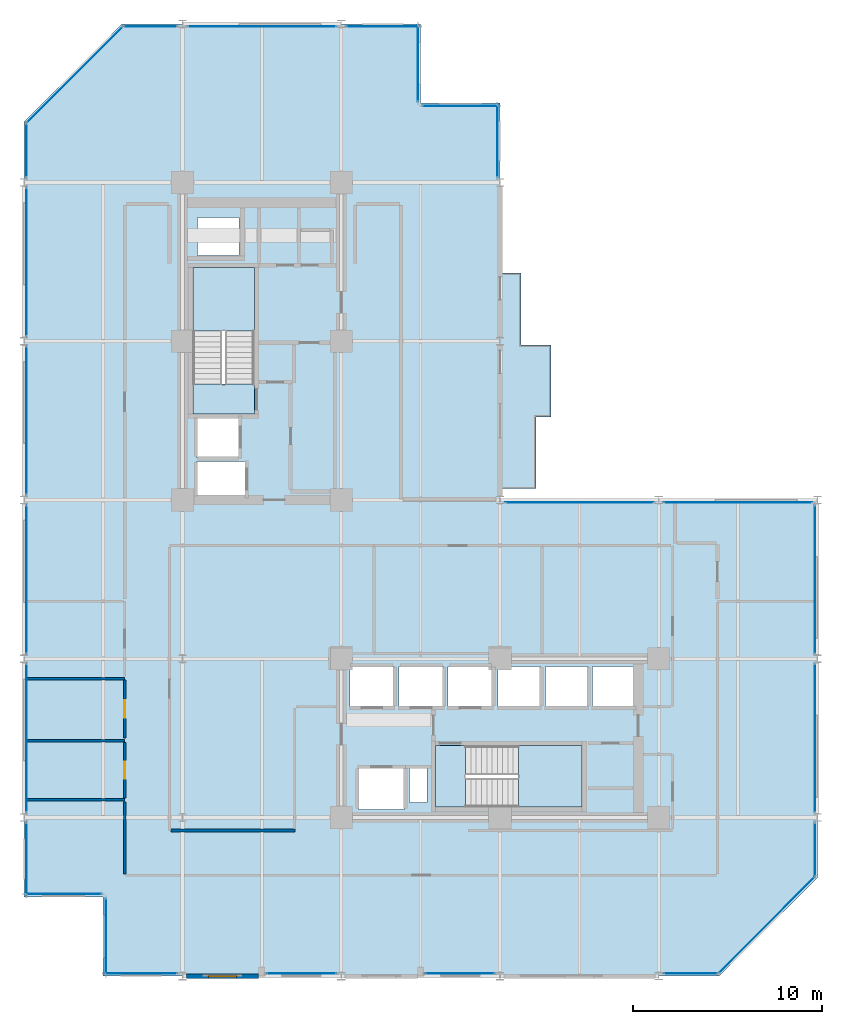
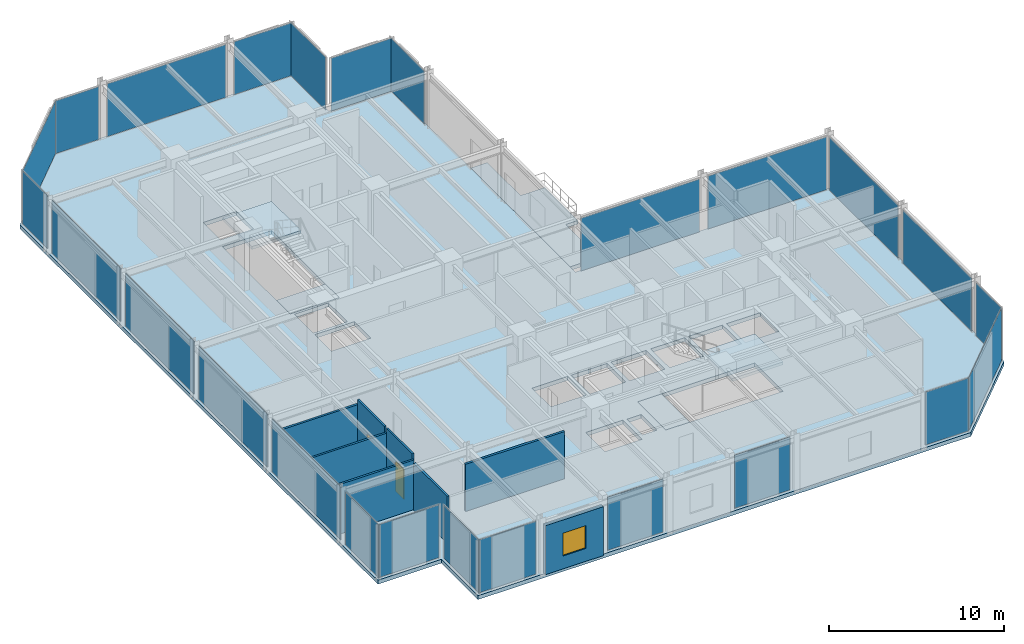
# One storey, part 23 of 29: 25 plates, 8 walls, 6 slabs, 2 doors, 1 window, 3 openings, 27 elements without a shape of their own.
"""IFC4 building model written with IfcOpenShell, lengths in metres."""

from ifc_helpers import new_model, si_unit, direction, frame, frame_2d, origin, origin_2d, place, context, subcontext, project, spatial, polyline, rectangle, outline, extrude, material, layer, layer_set, type_object, element, fill, aggregate, save


model = new_model("IFC4")

# Units and contexts
model_context = context("Model", 3, precision=1e-05, world=origin(), true_north=direction((0.0, 1.0)))
body_context = subcontext(model_context, "Body", "Model", "MODEL_VIEW")
ifc_project = project(units=[si_unit("LENGTHUNIT", "METRE"), si_unit("AREAUNIT", "SQUARE_METRE"), si_unit("VOLUMEUNIT", "CUBIC_METRE"), si_unit("PLANEANGLEUNIT", "RADIAN"), si_unit("MASSUNIT", "GRAM", prefix="KILO")], contexts=[model_context])

# Site, building, storey
site_placement = place(None, origin())
site = spatial("IfcSite", under=ifc_project, at=site_placement, CompositionType="ELEMENT")
building_placement = place(site_placement, origin())
building = spatial("IfcBuilding", under=site, at=building_placement, Name="Nerrivon Quay Data Exchange", CompositionType="ELEMENT")
storey_placement = place(building_placement, frame((0.0, 0.0, 150.0)))
storey = spatial("IfcBuildingStorey", under=building, at=storey_placement, Name="L35", CompositionType="ELEMENT", Elevation=150.0)

# Curtain wall, plate
ifc_material_1 = material(Name="Anodised aluminium 6063-T6", Category="aluminium")
ifc_layer_1 = layer(ifc_material_1, 0.2099609375)
ifc_layer_set_1 = layer_set([ifc_layer_1], Name="Anodised aluminium 6063-T6")
curtain_wall_type = type_object("IfcCurtainWallType", Name="CW-SYS-02", PredefinedType="NOTDEFINED", material=ifc_layer_set_1)
curtain_wall_1_placement = place(storey_placement, origin())
curtain_wall_1 = element("IfcCurtainWall", 1, at=curtain_wall_1_placement, inside=storey, type_object=curtain_wall_type, Name="L35 Unitised Curtain Wall 1", PredefinedType="NOTDEFINED")
ifc_material_2 = material(Name="Double-glazed low-E solar control glass", Category="glass")
ifc_layer_2 = layer(ifc_material_2, 0.028076171875)
ifc_layer_set_2 = layer_set([ifc_layer_2], Name="Double-glazed low-E solar control glass")
plate_type = type_object("IfcPlateType", Name="CWP-GLZ-28", PredefinedType="CURTAIN_PANEL", material=ifc_layer_set_2)
plate_1_placement = place(storey_placement, frame((39.301025390625, 2.698974609375, 0.06494140625), z_axis=(0.0, 0.0, 1.0), x_axis=(-0.707106781187, -0.707106781187, 0.0)))
plate_1 = element("IfcPlate", 2, at=plate_1_placement, type_object=plate_type, Name="CW02 panel 1.1", PredefinedType="CURTAIN_PANEL", context=body_context, shape_type="SweptSolid", body=[
    extrude(rectangle(XDim=7.203857421875, YDim=0.028076171875, at=origin_2d()), origin(), (0.0, 0.0, 1.0), 3.695068359375),
])
aggregate(curtain_wall_1, [plate_1])

curtain_wall_2_placement = place(storey_placement, origin())
curtain_wall_2 = element("IfcCurtainWall", 3, at=curtain_wall_2_placement, inside=storey, type_object=curtain_wall_type, Name="L35 Unitised Curtain Wall 2", PredefinedType="NOTDEFINED")
plate_2_placement = place(storey_placement, frame((35.300048828125, 0.139892578125, 0.06494140625), z_axis=(0.0, 0.0, 1.0), x_axis=(-1.0, 0.0, 0.0)))
plate_2 = element("IfcPlate", 4, at=plate_2_placement, type_object=plate_type, Name="CW02 panel 1.1", PredefinedType="CURTAIN_PANEL", context=body_context, shape_type="SweptSolid", body=[
    extrude(rectangle(XDim=2.85009765625, YDim=0.028076171875, at=origin_2d()), origin(), (0.0, 0.0, 1.0), 3.695068359375),
])
aggregate(curtain_wall_2, [plate_2])

curtain_wall_3_placement = place(storey_placement, origin())
curtain_wall_3 = element("IfcCurtainWall", 5, at=curtain_wall_3_placement, inside=storey, type_object=curtain_wall_type, Name="L35 Unitised Curtain Wall 4", PredefinedType="NOTDEFINED")
plate_3_placement = place(storey_placement, frame((23.08740234375, 0.139892578125, 0.06494140625), z_axis=(0.0, 0.0, 1.0), x_axis=(-1.0, 0.0, 0.0)))
plate_3 = element("IfcPlate", 6, at=plate_3_placement, type_object=plate_type, Name="CW02 panel 1.1", PredefinedType="CURTAIN_PANEL", context=body_context, shape_type="SweptSolid", body=[
    extrude(rectangle(XDim=3.675048828125, YDim=0.028076171875, at=origin_2d()), origin(), (0.0, 0.0, 1.0), 3.695068359375),
])
aggregate(curtain_wall_3, [plate_3])

curtain_wall_4_placement = place(storey_placement, origin())
curtain_wall_4 = element("IfcCurtainWall", 7, at=curtain_wall_4_placement, inside=storey, type_object=curtain_wall_type, Name="L35 Unitised Curtain Wall 6", PredefinedType="NOTDEFINED")
plate_4_placement = place(storey_placement, frame((14.6875, 0.139892578125, 0.06494140625), z_axis=(0.0, 0.0, 1.0), x_axis=(-1.0, 0.0, 0.0)))
plate_4 = element("IfcPlate", 8, at=plate_4_placement, type_object=plate_type, Name="CW02 panel 1.1", PredefinedType="CURTAIN_PANEL", context=body_context, shape_type="SweptSolid", body=[
    extrude(rectangle(XDim=3.675048828125, YDim=0.028076171875, at=origin_2d()), origin(), (0.0, 0.0, 1.0), 3.695068359375),
])
aggregate(curtain_wall_4, [plate_4])

curtain_wall_5_placement = place(storey_placement, origin())
curtain_wall_5 = element("IfcCurtainWall", 9, at=curtain_wall_5_placement, inside=storey, type_object=curtain_wall_type, Name="L35 Unitised Curtain Wall 8", PredefinedType="NOTDEFINED")
plate_5_placement = place(storey_placement, frame((6.199951171875, 0.139892578125, 0.06494140625), z_axis=(0.0, 0.0, 1.0), x_axis=(-1.0, 0.0, 0.0)))
plate_5 = element("IfcPlate", 10, at=plate_5_placement, type_object=plate_type, Name="CW02 panel 1.1", PredefinedType="CURTAIN_PANEL", context=body_context, shape_type="SweptSolid", body=[
    extrude(rectangle(XDim=3.85009765625, YDim=0.028076171875, at=origin_2d()), origin(), (0.0, 0.0, 1.0), 3.695068359375),
])
aggregate(curtain_wall_5, [plate_5])

curtain_wall_6_placement = place(storey_placement, origin())
curtain_wall_6 = element("IfcCurtainWall", 11, at=curtain_wall_6_placement, inside=storey, type_object=curtain_wall_type, Name="L35 Unitised Curtain Wall 9", PredefinedType="NOTDEFINED")
plate_6_placement = place(storey_placement, frame((4.340087890625, 2.10009765625, 0.06494140625), z_axis=(0.0, 0.0, 1.0), x_axis=(0.0, 1.0, 0.0)))
plate_6 = element("IfcPlate", 12, at=plate_6_placement, type_object=plate_type, Name="CW02 panel 1.1", PredefinedType="CURTAIN_PANEL", context=body_context, shape_type="SweptSolid", body=[
    extrude(rectangle(XDim=4.050048828125, YDim=0.028076171875, at=origin_2d()), origin(), (0.0, 0.0, 1.0), 3.695068359375),
])
aggregate(curtain_wall_6, [plate_6])

curtain_wall_7_placement = place(storey_placement, origin())
curtain_wall_7 = element("IfcCurtainWall", 13, at=curtain_wall_7_placement, inside=storey, type_object=curtain_wall_type, Name="L35 Unitised Curtain Wall 10", PredefinedType="NOTDEFINED")
plate_7_placement = place(storey_placement, frame((2.10009765625, 4.340087890625, 0.06494140625), z_axis=(0.0, 0.0, 1.0), x_axis=(-1.0, 0.0, 0.0)))
plate_7 = element("IfcPlate", 14, at=plate_7_placement, type_object=plate_type, Name="CW02 panel 1.1", PredefinedType="CURTAIN_PANEL", context=body_context, shape_type="SweptSolid", body=[
    extrude(rectangle(XDim=4.050048828125, YDim=0.028076171875, at=origin_2d()), origin(), (0.0, 0.0, 1.0), 3.695068359375),
])
aggregate(curtain_wall_7, [plate_7])

curtain_wall_8_placement = place(storey_placement, origin())
curtain_wall_8 = element("IfcCurtainWall", 15, at=curtain_wall_8_placement, inside=storey, type_object=curtain_wall_type, Name="L35 Unitised Curtain Wall 11", PredefinedType="NOTDEFINED")
plate_8_placement = place(storey_placement, frame((0.139892578125, 6.199951171875, 0.06494140625), z_axis=(0.0, 0.0, 1.0), x_axis=(0.0, 1.0, 0.0)))
plate_8 = element("IfcPlate", 16, at=plate_8_placement, type_object=plate_type, Name="CW02 panel 1.1", PredefinedType="CURTAIN_PANEL", context=body_context, shape_type="SweptSolid", body=[
    extrude(rectangle(XDim=3.85009765625, YDim=0.028076171875, at=origin_2d()), origin(), (0.0, 0.0, 1.0), 3.695068359375),
])
aggregate(curtain_wall_8, [plate_8])

curtain_wall_9_placement = place(storey_placement, origin())
curtain_wall_9 = element("IfcCurtainWall", 17, at=curtain_wall_9_placement, inside=storey, type_object=curtain_wall_type, Name="L35 Unitised Curtain Wall 12", PredefinedType="NOTDEFINED")
plate_9_placement = place(storey_placement, frame((0.139892578125, 12.60009765625, 0.06494140625), z_axis=(0.0, 0.0, 1.0), x_axis=(0.0, 1.0, 0.0)))
plate_9 = element("IfcPlate", 18, at=plate_9_placement, type_object=plate_type, Name="CW02 panel 1.1", PredefinedType="CURTAIN_PANEL", context=body_context, shape_type="SweptSolid", body=[
    extrude(rectangle(XDim=7.85009765625, YDim=0.028076171875, at=origin_2d()), origin(), (0.0, 0.0, 1.0), 3.695068359375),
])
aggregate(curtain_wall_9, [plate_9])

curtain_wall_10_placement = place(storey_placement, origin())
curtain_wall_10 = element("IfcCurtainWall", 19, at=curtain_wall_10_placement, inside=storey, type_object=curtain_wall_type, Name="L35 Unitised Curtain Wall 13", PredefinedType="NOTDEFINED")
plate_10_placement = place(storey_placement, frame((0.139892578125, 21.0, 0.06494140625), z_axis=(0.0, 0.0, 1.0), x_axis=(0.0, 1.0, 0.0)))
plate_10 = element("IfcPlate", 20, at=plate_10_placement, type_object=plate_type, Name="CW02 panel 1.1", PredefinedType="CURTAIN_PANEL", context=body_context, shape_type="SweptSolid", body=[
    extrude(rectangle(XDim=7.85009765625, YDim=0.028076171875, at=origin_2d()), origin(), (0.0, 0.0, 1.0), 3.695068359375),
])
aggregate(curtain_wall_10, [plate_10])

curtain_wall_11_placement = place(storey_placement, origin())
curtain_wall_11 = element("IfcCurtainWall", 21, at=curtain_wall_11_placement, inside=storey, type_object=curtain_wall_type, Name="L35 Unitised Curtain Wall 14", PredefinedType="NOTDEFINED")
plate_11_placement = place(storey_placement, frame((0.139892578125, 29.39990234375, 0.06494140625), z_axis=(0.0, 0.0, 1.0), x_axis=(0.0, 1.0, 0.0)))
plate_11 = element("IfcPlate", 22, at=plate_11_placement, type_object=plate_type, Name="CW02 panel 1.1", PredefinedType="CURTAIN_PANEL", context=body_context, shape_type="SweptSolid", body=[
    extrude(rectangle(XDim=7.85009765625, YDim=0.028076171875, at=origin_2d()), origin(), (0.0, 0.0, 1.0), 3.695068359375),
])
aggregate(curtain_wall_11, [plate_11])

curtain_wall_12_placement = place(storey_placement, origin())
curtain_wall_12 = element("IfcCurtainWall", 23, at=curtain_wall_12_placement, inside=storey, type_object=curtain_wall_type, Name="L35 Unitised Curtain Wall 15", PredefinedType="NOTDEFINED")
plate_12_placement = place(storey_placement, frame((0.139892578125, 37.800048828125, 0.06494140625), z_axis=(0.0, 0.0, 1.0), x_axis=(0.0, 1.0, 0.0)))
plate_12 = element("IfcPlate", 24, at=plate_12_placement, type_object=plate_type, Name="CW02 panel 1.1", PredefinedType="CURTAIN_PANEL", context=body_context, shape_type="SweptSolid", body=[
    extrude(rectangle(XDim=7.85009765625, YDim=0.028076171875, at=origin_2d()), origin(), (0.0, 0.0, 1.0), 3.695068359375),
])
aggregate(curtain_wall_12, [plate_12])

curtain_wall_13_placement = place(storey_placement, origin())
curtain_wall_13 = element("IfcCurtainWall", 25, at=curtain_wall_13_placement, inside=storey, type_object=curtain_wall_type, Name="L35 Unitised Curtain Wall 16", PredefinedType="NOTDEFINED")
plate_13_placement = place(storey_placement, frame((0.139892578125, 43.699951171875, 0.06494140625), z_axis=(0.0, 0.0, 1.0), x_axis=(0.0, 1.0, 0.0)))
plate_13 = element("IfcPlate", 26, at=plate_13_placement, type_object=plate_type, Name="CW02 panel 1.1", PredefinedType="CURTAIN_PANEL", context=body_context, shape_type="SweptSolid", body=[
    extrude(rectangle(XDim=2.85009765625, YDim=0.028076171875, at=origin_2d()), origin(), (0.0, 0.0, 1.0), 3.695068359375),
])
aggregate(curtain_wall_13, [plate_13])

curtain_wall_14_placement = place(storey_placement, origin())
curtain_wall_14 = element("IfcCurtainWall", 27, at=curtain_wall_14_placement, inside=storey, type_object=curtain_wall_type, Name="L35 Unitised Curtain Wall 17", PredefinedType="NOTDEFINED")
plate_14_placement = place(storey_placement, frame((2.698974609375, 47.700927734375, 0.06494140625), z_axis=(0.0, 0.0, 1.0), x_axis=(0.707106781187, 0.707106781187, 0.0)))
plate_14 = element("IfcPlate", 28, at=plate_14_placement, type_object=plate_type, Name="CW02 panel 1.1", PredefinedType="CURTAIN_PANEL", context=body_context, shape_type="SweptSolid", body=[
    extrude(rectangle(XDim=7.203857421875, YDim=0.028076171875, at=origin_2d()), origin(), (0.0, 0.0, 1.0), 3.695068359375),
])
aggregate(curtain_wall_14, [plate_14])

curtain_wall_15_placement = place(storey_placement, origin())
curtain_wall_15 = element("IfcCurtainWall", 29, at=curtain_wall_15_placement, inside=storey, type_object=curtain_wall_type, Name="L35 Unitised Curtain Wall 18", PredefinedType="NOTDEFINED")
plate_15_placement = place(storey_placement, frame((6.699951171875, 50.260009765625, 0.06494140625), z_axis=(0.0, 0.0, 1.0), x_axis=(1.0, 0.0, 0.0)))
plate_15 = element("IfcPlate", 30, at=plate_15_placement, type_object=plate_type, Name="CW02 panel 1.1", PredefinedType="CURTAIN_PANEL", context=body_context, shape_type="SweptSolid", body=[
    extrude(rectangle(XDim=2.85009765625, YDim=0.028076171875, at=origin_2d()), origin(), (0.0, 0.0, 1.0), 3.695068359375),
])
aggregate(curtain_wall_15, [plate_15])

curtain_wall_16_placement = place(storey_placement, origin())
curtain_wall_16 = element("IfcCurtainWall", 31, at=curtain_wall_16_placement, inside=storey, type_object=curtain_wall_type, Name="L35 Unitised Curtain Wall 19", PredefinedType="NOTDEFINED")
plate_16_placement = place(storey_placement, frame((12.60009765625, 50.260009765625, 0.06494140625), z_axis=(0.0, 0.0, 1.0), x_axis=(1.0, 0.0, 0.0)))
plate_16 = element("IfcPlate", 32, at=plate_16_placement, type_object=plate_type, Name="CW02 panel 1.1", PredefinedType="CURTAIN_PANEL", context=body_context, shape_type="SweptSolid", body=[
    extrude(rectangle(XDim=7.85009765625, YDim=0.028076171875, at=origin_2d()), origin(), (0.0, 0.0, 1.0), 3.695068359375),
])
aggregate(curtain_wall_16, [plate_16])

curtain_wall_17_placement = place(storey_placement, origin())
curtain_wall_17 = element("IfcCurtainWall", 33, at=curtain_wall_17_placement, inside=storey, type_object=curtain_wall_type, Name="L35 Unitised Curtain Wall 20", PredefinedType="NOTDEFINED")
plate_17_placement = place(storey_placement, frame((19.0, 50.260009765625, 0.06494140625), z_axis=(0.0, 0.0, 1.0), x_axis=(1.0, 0.0, 0.0)))
plate_17 = element("IfcPlate", 34, at=plate_17_placement, type_object=plate_type, Name="CW02 panel 1.1", PredefinedType="CURTAIN_PANEL", context=body_context, shape_type="SweptSolid", body=[
    extrude(rectangle(XDim=3.85009765625, YDim=0.028076171875, at=origin_2d()), origin(), (0.0, 0.0, 1.0), 3.695068359375),
])
aggregate(curtain_wall_17, [plate_17])

curtain_wall_18_placement = place(storey_placement, origin())
curtain_wall_18 = element("IfcCurtainWall", 35, at=curtain_wall_18_placement, inside=storey, type_object=curtain_wall_type, Name="L35 Unitised Curtain Wall 21", PredefinedType="NOTDEFINED")
plate_18_placement = place(storey_placement, frame((20.860107421875, 48.300048828125, 0.06494140625), z_axis=(0.0, 0.0, 1.0), x_axis=(0.0, -1.0, 0.0)))
plate_18 = element("IfcPlate", 36, at=plate_18_placement, type_object=plate_type, Name="CW02 panel 1.1", PredefinedType="CURTAIN_PANEL", context=body_context, shape_type="SweptSolid", body=[
    extrude(rectangle(XDim=4.050048828125, YDim=0.028076171875, at=origin_2d()), origin(), (0.0, 0.0, 1.0), 3.695068359375),
])
aggregate(curtain_wall_18, [plate_18])

curtain_wall_19_placement = place(storey_placement, origin())
curtain_wall_19 = element("IfcCurtainWall", 37, at=curtain_wall_19_placement, inside=storey, type_object=curtain_wall_type, Name="L35 Unitised Curtain Wall 22", PredefinedType="NOTDEFINED")
plate_19_placement = place(storey_placement, frame((23.10009765625, 46.06005859375, 0.06494140625), z_axis=(0.0, 0.0, 1.0), x_axis=(1.0, 0.0, 0.0)))
plate_19 = element("IfcPlate", 38, at=plate_19_placement, type_object=plate_type, Name="CW02 panel 1.1", PredefinedType="CURTAIN_PANEL", context=body_context, shape_type="SweptSolid", body=[
    extrude(rectangle(XDim=4.050048828125, YDim=0.028076171875, at=origin_2d()), origin(), (0.0, 0.0, 1.0), 3.695068359375),
])
aggregate(curtain_wall_19, [plate_19])

curtain_wall_20_placement = place(storey_placement, origin())
curtain_wall_20 = element("IfcCurtainWall", 39, at=curtain_wall_20_placement, inside=storey, type_object=curtain_wall_type, Name="L35 Unitised Curtain Wall 23", PredefinedType="NOTDEFINED")
plate_20_placement = place(storey_placement, frame((25.06005859375, 44.199951171875, 0.06494140625), z_axis=(0.0, 0.0, 1.0), x_axis=(0.0, -1.0, 0.0)))
plate_20 = element("IfcPlate", 40, at=plate_20_placement, type_object=plate_type, Name="CW02 panel 1.1", PredefinedType="CURTAIN_PANEL", context=body_context, shape_type="SweptSolid", body=[
    extrude(rectangle(XDim=3.85009765625, YDim=0.028076171875, at=origin_2d()), origin(), (0.0, 0.0, 1.0), 3.695068359375),
])
aggregate(curtain_wall_20, [plate_20])

curtain_wall_21_placement = place(storey_placement, origin())
curtain_wall_21 = element("IfcCurtainWall", 41, at=curtain_wall_21_placement, inside=storey, type_object=curtain_wall_type, Name="L35 Unitised Curtain Wall 26", PredefinedType="NOTDEFINED")
plate_21_placement = place(storey_placement, frame((29.39990234375, 25.06005859375, 0.06494140625), z_axis=(0.0, 0.0, 1.0), x_axis=(1.0, 0.0, 0.0)))
plate_21 = element("IfcPlate", 42, at=plate_21_placement, type_object=plate_type, Name="CW02 panel 1.1", PredefinedType="CURTAIN_PANEL", context=body_context, shape_type="SweptSolid", body=[
    extrude(rectangle(XDim=7.85009765625, YDim=0.028076171875, at=origin_2d()), origin(), (0.0, 0.0, 1.0), 3.695068359375),
])
aggregate(curtain_wall_21, [plate_21])

curtain_wall_22_placement = place(storey_placement, origin())
curtain_wall_22 = element("IfcCurtainWall", 43, at=curtain_wall_22_placement, inside=storey, type_object=curtain_wall_type, Name="L35 Unitised Curtain Wall 27", PredefinedType="NOTDEFINED")
plate_22_placement = place(storey_placement, frame((37.800048828125, 25.06005859375, 0.06494140625), z_axis=(0.0, 0.0, 1.0), x_axis=(1.0, 0.0, 0.0)))
plate_22 = element("IfcPlate", 44, at=plate_22_placement, type_object=plate_type, Name="CW02 panel 1.1", PredefinedType="CURTAIN_PANEL", context=body_context, shape_type="SweptSolid", body=[
    extrude(rectangle(XDim=7.85009765625, YDim=0.028076171875, at=origin_2d()), origin(), (0.0, 0.0, 1.0), 3.695068359375),
])
aggregate(curtain_wall_22, [plate_22])

curtain_wall_23_placement = place(storey_placement, origin())
curtain_wall_23 = element("IfcCurtainWall", 45, at=curtain_wall_23_placement, inside=storey, type_object=curtain_wall_type, Name="L35 Unitised Curtain Wall 28", PredefinedType="NOTDEFINED")
plate_23_placement = place(storey_placement, frame((41.860107421875, 21.0, 0.06494140625), z_axis=(0.0, 0.0, 1.0), x_axis=(0.0, -1.0, 0.0)))
plate_23 = element("IfcPlate", 46, at=plate_23_placement, type_object=plate_type, Name="CW02 panel 1.1", PredefinedType="CURTAIN_PANEL", context=body_context, shape_type="SweptSolid", body=[
    extrude(rectangle(XDim=7.85009765625, YDim=0.028076171875, at=origin_2d()), origin(), (0.0, 0.0, 1.0), 3.695068359375),
])
aggregate(curtain_wall_23, [plate_23])

curtain_wall_24_placement = place(storey_placement, origin())
curtain_wall_24 = element("IfcCurtainWall", 47, at=curtain_wall_24_placement, inside=storey, type_object=curtain_wall_type, Name="L35 Unitised Curtain Wall 29", PredefinedType="NOTDEFINED")
plate_24_placement = place(storey_placement, frame((41.860107421875, 12.60009765625, 0.06494140625), z_axis=(0.0, 0.0, 1.0), x_axis=(0.0, -1.0, 0.0)))
plate_24 = element("IfcPlate", 48, at=plate_24_placement, type_object=plate_type, Name="CW02 panel 1.1", PredefinedType="CURTAIN_PANEL", context=body_context, shape_type="SweptSolid", body=[
    extrude(rectangle(XDim=7.85009765625, YDim=0.028076171875, at=origin_2d()), origin(), (0.0, 0.0, 1.0), 3.695068359375),
])
aggregate(curtain_wall_24, [plate_24])

curtain_wall_25_placement = place(storey_placement, origin())
curtain_wall_25 = element("IfcCurtainWall", 49, at=curtain_wall_25_placement, inside=storey, type_object=curtain_wall_type, Name="L35 Unitised Curtain Wall 30", PredefinedType="NOTDEFINED")
plate_25_placement = place(storey_placement, frame((41.860107421875, 6.699951171875, 0.06494140625), z_axis=(0.0, 0.0, 1.0), x_axis=(0.0, -1.0, 0.0)))
plate_25 = element("IfcPlate", 50, at=plate_25_placement, type_object=plate_type, Name="CW02 panel 1.1", PredefinedType="CURTAIN_PANEL", context=body_context, shape_type="SweptSolid", body=[
    extrude(rectangle(XDim=2.85009765625, YDim=0.028076171875, at=origin_2d()), origin(), (0.0, 0.0, 1.0), 3.695068359375),
])
aggregate(curtain_wall_25, [plate_25])

# Slab
ifc_material_3 = material(Name="Precast white architectural concrete N50 (50 MPa)", Category="concrete")
ifc_layer_3 = layer(ifc_material_3, 0.25)
ifc_layer_set_3 = layer_set([ifc_layer_3], Name="Precast white architectural concrete N50 (50 MPa)")
slab_type_1 = type_object("IfcSlabType", Name="SLB-BAL-250", PredefinedType="FLOOR", material=ifc_layer_set_3)
slab_1_placement = place(storey_placement, frame((0.0, 0.0, -0.25)))
element("IfcSlab", 51, at=slab_1_placement, inside=storey, type_object=slab_type_1, Name="L35 Waterfront Subtropical Verandah", PredefinedType="FLOOR", context=body_context, shape_type="SweptSolid", body=[
    extrude(outline(polyline([(27.10009765625, 29.60009765625), (27.89990234375, 29.60009765625), (27.89990234375, 33.39990234375), (26.300048828125, 33.39990234375), (26.300048828125, 37.199951171875), (25.199951171875, 37.199951171875), (25.199951171875, 33.39990234375), (25.199951171875, 29.60009765625), (25.199951171875, 25.800048828125), (27.10009765625, 25.800048828125), (27.10009765625, 29.60009765625)])), origin(), (0.0, 0.0, 1.0), 0.25),
])

# Stair, slab
ifc_material_4 = material(Name="Concrete N50 (50 MPa)", Category="concrete")
stair_type = type_object("IfcStairType", Name="STAIR-DOG-41", PredefinedType="HALF_TURN_STAIR", material=ifc_material_4)
stair_1_placement = place(storey_placement, origin())
stair_1 = element("IfcStair", 52, at=stair_1_placement, inside=storey, type_object=stair_type, Name="L35 West Core Fire Stair ST01", PredefinedType="HALF_TURN_STAIR")
ifc_layer_4 = layer(ifc_material_4, 0.199951171875)
ifc_layer_set_4 = layer_set([ifc_layer_4], Name="Concrete N50 (50 MPa)")
slab_type_2 = type_object("IfcSlabType", Name="SLB-LAND-200", PredefinedType="LANDING", material=ifc_layer_set_4)
slab_2_placement = place(storey_placement, frame((0.0, 0.0, 1.85009765625)))
slab_2 = element("IfcSlab", 53, at=slab_2_placement, type_object=slab_type_2, Name="ST01 landing 1", PredefinedType="LANDING", context=body_context, shape_type="SweptSolid", body=[
    extrude(outline(polyline([(12.199951171875, 34.1298828125), (12.199951171875, 37.5), (8.949951171875, 37.5), (8.949951171875, 34.1298828125), (12.199951171875, 34.1298828125)])), origin(), (0.0, 0.0, 1.0), 0.199951171875),
])
aggregate(stair_1, [slab_2])

# Slab
slab_3_placement = place(storey_placement, frame((0.0, 0.0, -0.199951171875)))
element("IfcSlab", 54, at=slab_3_placement, inside=storey, type_object=slab_type_2, Name="L35 ST01 floor landing", PredefinedType="LANDING", context=body_context, shape_type="SweptSolid", body=[
    extrude(outline(polyline([(12.199951171875, 29.75), (12.199951171875, 31.330078125), (8.949951171875, 31.330078125), (8.949951171875, 29.75), (12.199951171875, 29.75)])), origin(), (0.0, 0.0, 1.0), 0.199951171875),
])

# Stair, slab
stair_2_placement = place(storey_placement, origin())
stair_2 = element("IfcStair", 55, at=stair_2_placement, inside=storey, type_object=stair_type, Name="L35 East Core Fire Stair ST02", PredefinedType="HALF_TURN_STAIR")
slab_4_placement = place(storey_placement, frame((0.0, 0.0, 1.85009765625)))
slab_4 = element("IfcSlab", 56, at=slab_4_placement, type_object=slab_type_2, Name="ST02 landing 1", PredefinedType="LANDING", context=body_context, shape_type="SweptSolid", body=[
    extrude(outline(polyline([(26.179931640625, 8.949951171875), (29.550048828125, 8.949951171875), (29.550048828125, 12.199951171875), (26.179931640625, 12.199951171875), (26.179931640625, 8.949951171875)])), origin(), (0.0, 0.0, 1.0), 0.199951171875),
])
aggregate(stair_2, [slab_4])

# Slabs
slab_5_placement = place(storey_placement, frame((0.0, 0.0, -0.199951171875)))
element("IfcSlab", 57, at=slab_5_placement, inside=storey, type_object=slab_type_2, Name="L35 ST02 floor landing", PredefinedType="LANDING", context=body_context, shape_type="SweptSolid", body=[
    extrude(outline(polyline([(21.800048828125, 8.949951171875), (23.3798828125, 8.949951171875), (23.3798828125, 12.199951171875), (21.800048828125, 12.199951171875), (21.800048828125, 8.949951171875)])), origin(), (0.0, 0.0, 1.0), 0.199951171875),
])
ifc_layer_5 = layer(ifc_material_4, 0.27490234375)
ifc_layer_set_5 = layer_set([ifc_layer_5], Name="Concrete N50 (50 MPa)")
slab_type_3 = type_object("IfcSlabType", Name="SLB-TOW-275", PredefinedType="FLOOR", material=ifc_layer_set_5)
slab_6_placement = place(storey_placement, frame((0.0, 0.0, -0.27490234375)))
element("IfcSlab", 58, at=slab_6_placement, inside=storey, type_object=slab_type_3, Name="L35 Primary Structural Slab", PredefinedType="FLOOR", context=body_context, shape_type="SweptSolid", body=[
    extrude(outline(polyline([(42.0, 25.199951171875), (25.199951171875, 25.199951171875), (25.199951171875, 46.199951171875), (21.0, 46.199951171875), (21.0, 50.39990234375), (5.199951171875, 50.39990234375), (0.0, 45.199951171875), (0.0, 4.199951171875), (4.199951171875, 4.199951171875), (4.199951171875, 0.0), (36.800048828125, 0.0), (42.0, 5.199951171875), (42.0, 25.199951171875)]), holes=[polyline([(8.949951171875, 29.75), (8.949951171875, 37.5), (12.199951171875, 37.5), (12.199951171875, 29.75), (8.949951171875, 29.75)]), polyline([(21.800048828125, 12.199951171875), (29.550048828125, 12.199951171875), (29.550048828125, 8.949951171875), (21.800048828125, 8.949951171875), (21.800048828125, 12.199951171875)]), polyline([(30.10009765625, 16.39990234375), (32.35009765625, 16.39990234375), (32.35009765625, 14.25), (30.10009765625, 14.25), (30.10009765625, 16.39990234375)]), polyline([(27.60009765625, 16.39990234375), (29.85009765625, 16.39990234375), (29.85009765625, 14.25), (27.60009765625, 14.25), (27.60009765625, 16.39990234375)]), polyline([(25.10009765625, 14.25), (25.10009765625, 16.39990234375), (27.35009765625, 16.39990234375), (27.35009765625, 14.25), (25.10009765625, 14.25)]), polyline([(22.449951171875, 16.39990234375), (24.800048828125, 16.39990234375), (24.800048828125, 14.25), (22.449951171875, 14.25), (22.449951171875, 16.39990234375)]), polyline([(19.85009765625, 16.39990234375), (22.199951171875, 16.39990234375), (22.199951171875, 14.25), (19.85009765625, 14.25), (19.85009765625, 16.39990234375)]), polyline([(20.39990234375, 9.199951171875), (20.39990234375, 11.0), (21.35009765625, 11.0), (21.35009765625, 9.199951171875), (20.39990234375, 9.199951171875)]), polyline([(17.699951171875, 8.830078125), (17.699951171875, 11.030029296875), (20.14990234375, 11.030029296875), (20.14990234375, 8.830078125), (17.699951171875, 8.830078125)]), polyline([(17.25, 14.25), (17.25, 16.39990234375), (19.60009765625, 16.39990234375), (19.60009765625, 14.25), (17.25, 14.25)]), polyline([(9.14990234375, 27.25), (11.75, 27.25), (11.75, 25.35009765625), (9.14990234375, 25.35009765625), (9.14990234375, 27.25)]), polyline([(9.14990234375, 29.60009765625), (11.39990234375, 29.60009765625), (11.39990234375, 27.449951171875), (9.14990234375, 27.449951171875), (9.14990234375, 29.60009765625)]), polyline([(9.199951171875, 38.14990234375), (9.199951171875, 40.14990234375), (11.39990234375, 40.14990234375), (11.39990234375, 38.14990234375), (9.199951171875, 38.14990234375)])]), origin(), (0.0, 0.0, 1.0), 0.27490234375),
])

# Wall, opening, window
ifc_material_5 = material(Name="Architectural terracotta precast concrete N50 (50 MPa)", Category="masonry")
ifc_layer_6 = layer(ifc_material_5, 0.239990234375)
ifc_layer_set_6 = layer_set([ifc_layer_6], Name="Architectural terracotta precast concrete N50 (50 MPa)")
wall_type_1 = type_object("IfcWallType", Name="EW-PREC-240", PredefinedType="STANDARD", material=ifc_layer_set_6)
wall_1_placement = place(storey_placement, frame((12.425048828125, 0.0, 0.0), z_axis=(0.0, 0.0, 1.0), x_axis=(-1.0, 0.0, 0.0)))
wall_1 = element("IfcWall", 59, at=wall_1_placement, inside=storey, type_object=wall_type_1, Name="L35 Podium Precast Spandrel Wall 7", PredefinedType="STANDARD", context=body_context, shape_type="SweptSolid", body=[
    extrude(rectangle(XDim=3.824951171875, YDim=0.239990234375, at=frame_2d((1.91259765625, 0.0))), origin(), (0.0, 0.0, 1.0), 3.422119140625),
])
opening_1_placement = place(wall_1_placement, frame((1.16259765625, 0.0, 0.89990234375)))
opening_1 = element("IfcOpeningElement", 60, at=opening_1_placement, cuts=wall_1, Name="Opening WN4", PredefinedType="OPENING", context=body_context, shape_type="SweptSolid", body=[
    extrude(rectangle(XDim=1.5, YDim=1.60009765625, at=frame_2d((0.75, 0.800048828125))), frame((0.0, 0.1298828125, 0.0), z_axis=(0.0, -1.0, 0.0), x_axis=(1.0, 0.0, 0.0)), (0.0, 0.0, 1.0), 0.260009765625),
])
window_type = type_object("IfcWindowType", Name="WIN-W4-1500x1600", PartitioningType="SINGLE_PANEL", PredefinedType="WINDOW", material=ifc_material_2)
window_placement = place(opening_1_placement, origin())
window = element("IfcWindow", 61, at=window_placement, inside=storey, type_object=window_type, Name="L35 Solar Facade Window 7", OverallHeight=1.60009765625, OverallWidth=1.5, PartitioningType="SINGLE_PANEL", PredefinedType="WINDOW", context=body_context, shape_type="SweptSolid", body=[
    extrude(rectangle(XDim=1.5, YDim=1.60009765625, at=frame_2d((0.75, 0.800048828125))), frame((0.0, 0.030029296875, 0.0), z_axis=(0.0, -1.0, 0.0), x_axis=(1.0, 0.0, 0.0)), (0.0, 0.0, 1.0), 0.06005859375),
])
fill(opening_1, window)

# Wall, opening, door
ifc_material_6 = material(Name="Gypsum plasterboard on cold-formed framing", Category="gypsum")
ifc_layer_7 = layer(ifc_material_6, 0.1201171875)
ifc_layer_set_7 = layer_set([ifc_layer_7], Name="Gypsum plasterboard on cold-formed framing")
wall_type_2 = type_object("IfcWallType", Name="WALL-PT-120", PredefinedType="PARTITIONING", material=ifc_layer_set_7)
wall_2_placement = place(storey_placement, frame((5.340087890625, 9.42138671875, 0.0), z_axis=(0.0, 0.0, 1.0), x_axis=(0.0, 1.0, 0.0)))
wall_2 = element("IfcWall", 62, at=wall_2_placement, inside=storey, type_object=wall_type_2, Name="L35 Partition Accessible Toilet", PredefinedType="PARTITIONING", context=body_context, shape_type="SweptSolid", body=[
    extrude(rectangle(XDim=2.95703125, YDim=0.1201171875, at=frame_2d((1.478515625, 0.0))), origin(), (0.0, 0.0, 1.0), 3.824951171875),
])
opening_2_placement = place(wall_2_placement, frame((1.0185546875, 0.0, 0.0)))
opening_2 = element("IfcOpeningElement", 63, at=opening_2_placement, cuts=wall_2, Name="Opening D-WC", PredefinedType="OPENING", context=body_context, shape_type="SweptSolid", body=[
    extrude(rectangle(XDim=0.919921875, YDim=2.10009765625, at=frame_2d((0.4599609375, 1.050048828125))), frame((0.0, 0.070068359375, 0.0), z_axis=(0.0, -1.0, 0.0), x_axis=(1.0, 0.0, 0.0)), (0.0, 0.0, 1.0), 0.14013671875),
])
ifc_material_7 = material(Name="Engineered hardwood timber", Category="wood")
door_type = type_object("IfcDoorType", Name="DR-WC-920", OperationType="NOTDEFINED", PredefinedType="DOOR", material=ifc_material_7)
door_1_placement = place(opening_2_placement, origin())
door_1 = element("IfcDoor", 64, at=door_1_placement, inside=storey, type_object=door_type, Name="L35 Door Accessible Toilet", OperationType="SINGLE_SWING_RIGHT", OverallHeight=2.10009765625, OverallWidth=0.919921875, PredefinedType="DOOR", context=body_context, shape_type="SweptSolid", body=[
    extrude(rectangle(XDim=0.919921875, YDim=2.10009765625, at=frame_2d((0.4599609375, 1.050048828125))), frame((0.0, 0.02490234375, 0.0), z_axis=(0.0, -1.0, 0.0), x_axis=(1.0, 0.0, 0.0)), (0.0, 0.0, 1.0), 0.050048828125),
])
fill(opening_2, door_1)

wall_3_placement = place(storey_placement, frame((5.340087890625, 12.60009765625, 0.0), z_axis=(0.0, 0.0, 1.0), x_axis=(0.0, 1.0, 0.0)))
wall_3 = element("IfcWall", 65, at=wall_3_placement, inside=storey, type_object=wall_type_2, Name="L35 Partition Public Washrooms", PredefinedType="PARTITIONING", context=body_context, shape_type="SweptSolid", body=[
    extrude(rectangle(XDim=3.078369140625, YDim=0.1201171875, at=frame_2d((1.5390625, 0.0))), origin(), (0.0, 0.0, 1.0), 3.824951171875),
])
opening_3_placement = place(wall_3_placement, frame((1.079345703125, 0.0, 0.0)))
opening_3 = element("IfcOpeningElement", 66, at=opening_3_placement, cuts=wall_3, Name="Opening D-WC", PredefinedType="OPENING", context=body_context, shape_type="SweptSolid", body=[
    extrude(rectangle(XDim=0.919921875, YDim=2.10009765625, at=frame_2d((0.4599609375, 1.050048828125))), frame((0.0, 0.070068359375, 0.0), z_axis=(0.0, -1.0, 0.0), x_axis=(1.0, 0.0, 0.0)), (0.0, 0.0, 1.0), 0.14013671875),
])
door_2_placement = place(opening_3_placement, origin())
door_2 = element("IfcDoor", 67, at=door_2_placement, inside=storey, type_object=door_type, Name="L35 Door Public Washrooms", OperationType="SINGLE_SWING_LEFT", OverallHeight=2.10009765625, OverallWidth=0.919921875, PredefinedType="DOOR", context=body_context, shape_type="SweptSolid", body=[
    extrude(rectangle(XDim=0.919921875, YDim=2.10009765625, at=frame_2d((0.4599609375, 1.050048828125))), frame((0.0, 0.02490234375, 0.0), z_axis=(0.0, -1.0, 0.0), x_axis=(1.0, 0.0, 0.0)), (0.0, 0.0, 1.0), 0.050048828125),
])
fill(opening_3, door_2)

# Walls
ifc_layer_8 = layer(ifc_material_6, 0.135009765625)
ifc_layer_set_8 = layer_set([ifc_layer_8], Name="Gypsum plasterboard on cold-formed framing")
wall_type_3 = type_object("IfcWallType", Name="WALL-PT-135", PredefinedType="PARTITIONING", material=ifc_layer_set_8)
for number, where, z_axis, x_axis, name in (
    (68, (5.340087890625, 12.449951171875, 0.0), (0.0, 0.0, 1.0), (-1.0, 0.0, 0.0), "L35 Partition Accessible Toilet"),
    (69, (0.1689453125, 9.35009765625, 0.0), (0.0, 0.0, 1.0), (1.0, 0.0, 0.0), "L35 Partition Accessible Toilet"),
    (70, (5.340087890625, 15.75, 0.0), (0.0, 0.0, 1.0), (-1.0, 0.0, 0.0), "L35 Partition Public Washrooms"),
):
    element("IfcWall", number, at=place(storey_placement, frame(where, z_axis=z_axis, x_axis=x_axis)), inside=storey, type_object=wall_type_3, Name=name, PredefinedType="PARTITIONING", context=body_context, shape_type="SweptSolid", body=[
        extrude(rectangle(XDim=5.171142578125, YDim=0.135009765625, at=frame_2d((2.58544921875, 0.0))), origin(), (0.0, 0.0, 1.0), 3.468994140625),
    ])
wall_4_placement = place(storey_placement, frame((5.340087890625, 5.39990234375, 0.0), z_axis=(0.0, 0.0, 1.0), x_axis=(0.0, 1.0, 0.0)))
element("IfcWall", 71, at=wall_4_placement, inside=storey, type_object=wall_type_3, Name="L35 Partition Technical Library", PredefinedType="PARTITIONING", context=body_context, shape_type="SweptSolid", body=[
    extrude(rectangle(XDim=3.830078125, YDim=0.135009765625, at=frame_2d((1.9150390625, 0.0))), origin(), (0.0, 0.0, 1.0), 3.2919921875),
])
ifc_layer_9 = layer(ifc_material_6, 0.14990234375)
ifc_layer_set_9 = layer_set([ifc_layer_9], Name="Gypsum plasterboard on cold-formed framing")
wall_type_4 = type_object("IfcWallType", Name="WALL-PT-150", PredefinedType="PARTITIONING", material=ifc_layer_set_9)
wall_5_placement = place(storey_placement, frame((7.7890625, 7.7099609375, 0.0), z_axis=(0.0, 0.0, 1.0), x_axis=(1.0, 0.0, 0.0)))
element("IfcWall", 72, at=wall_5_placement, inside=storey, type_object=wall_type_4, Name="L35 Partition Peering Huddle Meeting Room", PredefinedType="PARTITIONING", context=body_context, shape_type="SweptSolid", body=[
    extrude(rectangle(XDim=6.551025390625, YDim=0.14990234375, at=frame_2d((3.275390625, 0.0))), origin(), (0.0, 0.0, 1.0), 3.297119140625),
])

save(model, "model.ifc")
